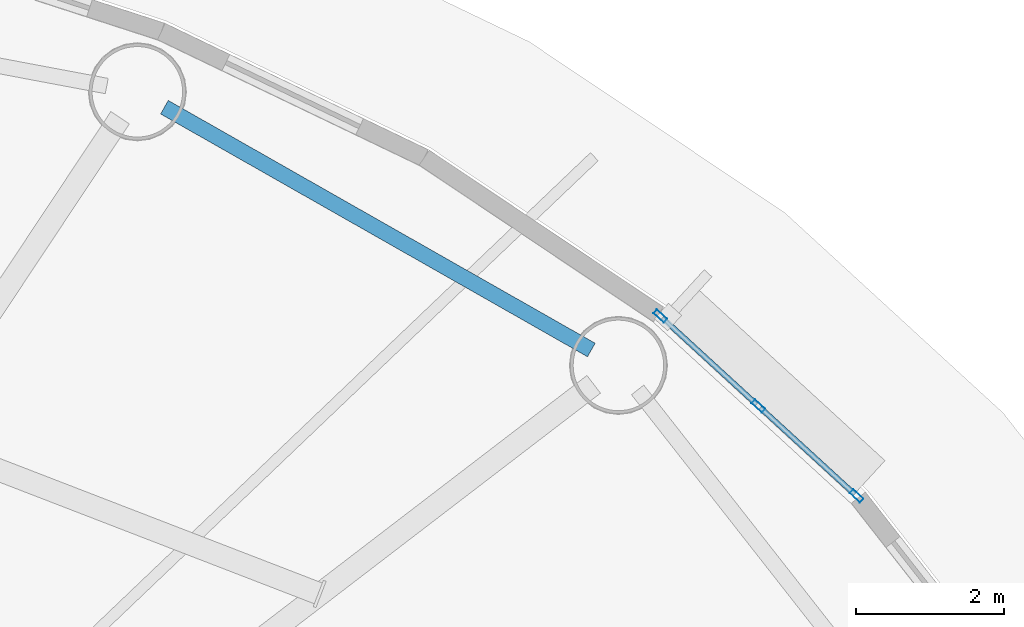
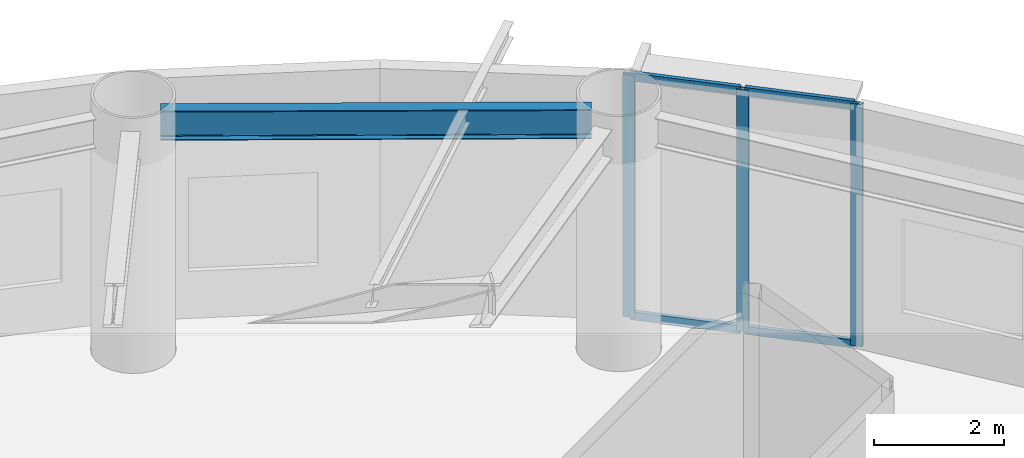
# One storey, part 22 of 38: 7 members, 1 beam, 1 element without a shape of its own.
"""IFC4 building model written with IfcOpenShell, lengths in metres."""

from ifc_helpers import new_model, si_unit, direction, frame, origin, origin_2d, place, context, subcontext, project, spatial, hollow_rectangle, i_section, extrude, source, transform, mapped, material, layer, layer_set, material_profile, profile_set, type_object, element, aggregate, save


model = new_model("IFC4")

# Units and contexts
model_context = context("Model", 3, precision=1e-05, world=origin(), true_north=direction((0.0, 1.0)))
body_context = subcontext(model_context, "Body", "Model", "MODEL_VIEW")
ifc_project = project(units=[si_unit("LENGTHUNIT", "METRE"), si_unit("AREAUNIT", "SQUARE_METRE"), si_unit("VOLUMEUNIT", "CUBIC_METRE"), si_unit("PLANEANGLEUNIT", "RADIAN"), si_unit("MASSUNIT", "GRAM", prefix="KILO")], contexts=[model_context])

# Site, building, storey
site_placement = place(None, origin())
site = spatial("IfcSite", under=ifc_project, at=site_placement, CompositionType="ELEMENT")
building_placement = place(site_placement, origin())
building = spatial("IfcBuilding", under=site, at=building_placement, Name="Linh Dai School and Residence Tower", CompositionType="ELEMENT")
storey_placement = place(building_placement, frame((0.0, 0.0, 151.35009765625)))
storey = spatial("IfcBuildingStorey", under=building, at=storey_placement, Name="L36", CompositionType="ELEMENT", Elevation=151.35009765625)

# Beam
ifc_material_1 = material(Name="Structural Steel S355JR", Category="steel")
ifc_material_profile_1 = material_profile(ifc_material_1, i_section(OverallWidth=0.2099609375, OverallDepth=0.550048828125, WebThickness=0.010986328125, FlangeThickness=0.01708984375, FilletRadius=0.02392578125, at=origin_2d()), Name="IPE 550")
ifc_profile_set_1 = profile_set([ifc_material_profile_1], Name="Structural Steel S355JR")
beam_type = type_object("IfcBeamType", Name="BM-RB55", PredefinedType="BEAM", material=ifc_profile_set_1)
beam_placement = place(storey_placement, frame((53.827392578125, 41.1494140625, 4.27490234375), z_axis=(-0.869262164011, 0.49435138335, 0.0), x_axis=(-0.49435138335, -0.869262164011, 0.0)))
element("IfcBeam", 1, at=beam_placement, inside=storey, type_object=beam_type, Name="L36 Perimeter Elliptical Ring Beam 03", PredefinedType="BEAM", context=body_context, shape_type="SweptSolid", body=[
    extrude(i_section(OverallWidth=0.2099609375, OverallDepth=0.550048828125, WebThickness=0.010986328125, FlangeThickness=0.01708984375, FilletRadius=0.02392578125, at=origin_2d()), origin(), (0.0, 0.0, 1.0), 6.62255859375),
])

# Curtain wall, members
ifc_material_2 = material(Name="Aluminium Anodised Curtain Wall", Category="aluminium")
ifc_layer = layer(ifc_material_2, 0.18994140625)
ifc_layer_set = layer_set([ifc_layer], Name="Aluminium Anodised Curtain Wall")
curtain_wall_type = type_object("IfcCurtainWallType", Name="CW-SYS-5", PredefinedType="USERDEFINED", material=ifc_layer_set)
curtain_wall_placement = place(storey_placement, origin())
curtain_wall = element("IfcCurtainWall", 2, at=curtain_wall_placement, inside=storey, type_object=curtain_wall_type, Name="L36 CW5 Curtain Wall 05", ObjectType="UNITISED CURTAIN WALL", PredefinedType="USERDEFINED")
ifc_material_3 = material(Name="Aluminium Alloy 6063-T6", Category="aluminium")
ifc_material_profile_2 = material_profile(ifc_material_3, hollow_rectangle(XDim=0.070068359375, YDim=0.18994140625, WallThickness=0.00390625, at=origin_2d()), Name="RHS 190x70x4")
ifc_profile_set_2 = profile_set([ifc_material_profile_2], Name="Aluminium Alloy 6063-T6")
member_type_1 = type_object("IfcMemberType", Name="CW-SYS-5-MUL", PredefinedType="MULLION", material=ifc_profile_set_2)
shared_shape_1 = source(origin(), body_context, "Body", "SweptSolid", [
    extrude(hollow_rectangle(XDim=0.070068359375, YDim=0.18994140625, WallThickness=0.00390625, at=origin_2d()), origin(), (0.0, 0.0, 1.0), 4.5498046875),
])
member_1_placement = place(storey_placement, frame((54.7578125, 41.60693359375, 0.0), z_axis=(0.0, 0.0, 1.0), x_axis=(0.67580001435, 0.737085029426, 0.0)))
member_1 = element("IfcMember", 3, at=member_1_placement, type_object=member_type_1, Name="CW5 mullion 1", PredefinedType="MULLION", context=body_context, shape_type="MappedRepresentation", body=[
    mapped(shared_shape_1, transform((0.0, 0.0, 0.0), x_axis=(1.0, 0.0, 0.0), y_axis=(0.0, 1.0, 0.0), z_axis=(0.0, 0.0, 1.0), scale=1.0)),
])
member_2_placement = place(storey_placement, frame((56.080078125, 40.39453125, 0.0), z_axis=(0.0, 0.0, 1.0), x_axis=(0.67580001435, 0.737085029426, 0.0)))
member_2 = element("IfcMember", 4, at=member_2_placement, type_object=member_type_1, Name="CW5 mullion 2", PredefinedType="MULLION", context=body_context, shape_type="MappedRepresentation", body=[
    mapped(shared_shape_1, transform((0.0, 0.0, 0.0), x_axis=(1.0, 0.0, 0.0), y_axis=(0.0, 1.0, 0.0), z_axis=(0.0, 0.0, 1.0), scale=1.0)),
])
member_3_placement = place(storey_placement, frame((57.40234375, 39.18212890625, 0.0), z_axis=(0.0, 0.0, 1.0), x_axis=(0.67580001435, 0.737085029426, 0.0)))
member_3 = element("IfcMember", 5, at=member_3_placement, type_object=member_type_1, Name="CW5 mullion 3", PredefinedType="MULLION", context=body_context, shape_type="MappedRepresentation", body=[
    mapped(shared_shape_1, transform((0.0, 0.0, 0.0), x_axis=(1.0, 0.0, 0.0), y_axis=(0.0, 1.0, 0.0), z_axis=(0.0, 0.0, 1.0), scale=1.0)),
])
ifc_material_profile_3 = material_profile(ifc_material_3, hollow_rectangle(XDim=0.070068359375, YDim=0.14990234375, WallThickness=0.00390625, at=origin_2d()), Name="RHS 150x70x4")
ifc_profile_set_3 = profile_set([ifc_material_profile_3], Name="Aluminium Alloy 6063-T6")
member_type_2 = type_object("IfcMemberType", Name="CW-SYS-5-TRN", PredefinedType="USERDEFINED", material=ifc_profile_set_3)
shared_shape_2 = source(origin(), body_context, "Body", "SweptSolid", [
    extrude(hollow_rectangle(XDim=0.070068359375, YDim=0.14990234375, WallThickness=0.00390625, at=origin_2d()), origin(), (0.0, 0.0, 1.0), 1.723876953125),
])
member_4_placement = place(storey_placement, frame((54.783447265625, 41.583251953125, 0.034912109375), z_axis=(0.737101233063, -0.67578234086, 0.0), x_axis=(0.67578234086, 0.737101233063, 0.0)))
member_4 = element("IfcMember", 6, at=member_4_placement, type_object=member_type_2, Name="CW5 transom 1.1", ObjectType="TRANSOM", PredefinedType="USERDEFINED", context=body_context, shape_type="MappedRepresentation", body=[
    mapped(shared_shape_2, transform((0.0, 0.0, 0.0), x_axis=(1.0, 0.0, 0.0), y_axis=(0.0, 1.0, 0.0), z_axis=(0.0, 0.0, 1.0), scale=1.0)),
])
member_5_placement = place(storey_placement, frame((54.783447265625, 41.583251953125, 4.514892578125), z_axis=(0.737101233063, -0.67578234086, 0.0), x_axis=(0.67578234086, 0.737101233063, 0.0)))
member_5 = element("IfcMember", 7, at=member_5_placement, type_object=member_type_2, Name="CW5 transom 1.2", ObjectType="TRANSOM", PredefinedType="USERDEFINED", context=body_context, shape_type="MappedRepresentation", body=[
    mapped(shared_shape_2, transform((0.0, 0.0, 0.0), x_axis=(1.0, 0.0, 0.0), y_axis=(0.0, 1.0, 0.0), z_axis=(0.0, 0.0, 1.0), scale=1.0)),
])
member_6_placement = place(storey_placement, frame((56.10595703125, 40.370849609375, 0.034912109375), z_axis=(0.737101233063, -0.67578234086, 0.0), x_axis=(0.67578234086, 0.737101233063, 0.0)))
member_6 = element("IfcMember", 8, at=member_6_placement, type_object=member_type_2, Name="CW5 transom 2.1", ObjectType="TRANSOM", PredefinedType="USERDEFINED", context=body_context, shape_type="MappedRepresentation", body=[
    mapped(shared_shape_2, transform((0.0, 0.0, 0.0), x_axis=(1.0, 0.0, 0.0), y_axis=(0.0, 1.0, 0.0), z_axis=(0.0, 0.0, 1.0), scale=1.0)),
])
member_7_placement = place(storey_placement, frame((56.10595703125, 40.370849609375, 4.514892578125), z_axis=(0.737101233063, -0.67578234086, 0.0), x_axis=(0.67578234086, 0.737101233063, 0.0)))
member_7 = element("IfcMember", 9, at=member_7_placement, type_object=member_type_2, Name="CW5 transom 2.2", ObjectType="TRANSOM", PredefinedType="USERDEFINED", context=body_context, shape_type="MappedRepresentation", body=[
    mapped(shared_shape_2, transform((0.0, 0.0, 0.0), x_axis=(1.0, 0.0, 0.0), y_axis=(0.0, 1.0, 0.0), z_axis=(0.0, 0.0, 1.0), scale=1.0)),
])
aggregate(curtain_wall, [member_1, member_2, member_3, member_4, member_5, member_6, member_7])

save(model, "model.ifc")
